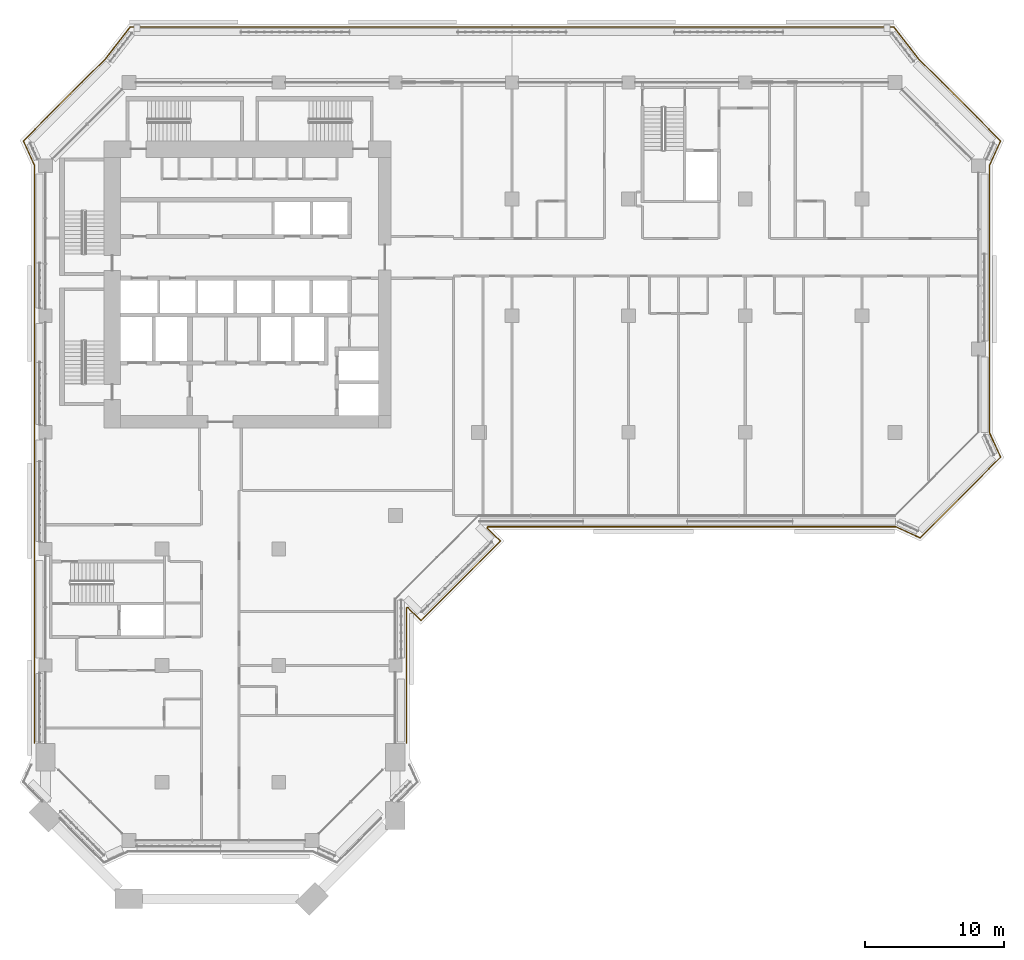
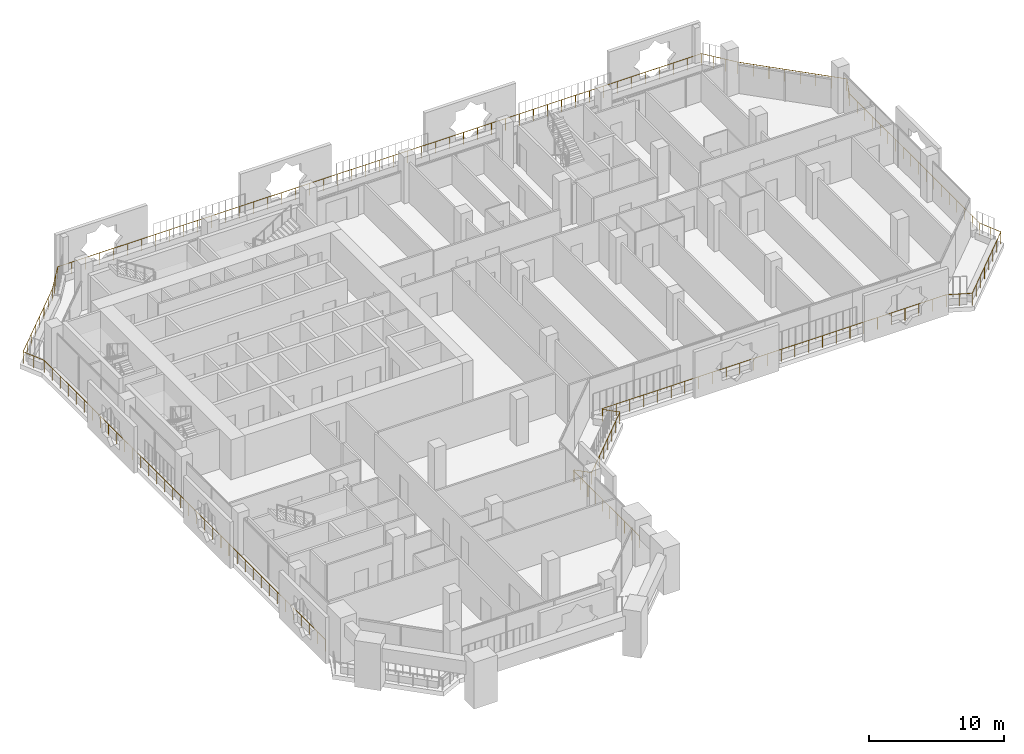
# One storey, part 21 of 23: 1 railing.
"""IFC4 building model written with IfcOpenShell, lengths in metres."""

from ifc_helpers import new_model, si_unit, direction, frame, origin, origin_2d, place, context, subcontext, project, spatial, circle, extrude, material, type_object, element, save


model = new_model("IFC4")

# Units and contexts
model_context = context("Model", 3, precision=1e-05, world=origin(), true_north=direction((0.0, 1.0)))
body_context = subcontext(model_context, "Body", "Model", "MODEL_VIEW")
ifc_project = project(units=[si_unit("LENGTHUNIT", "METRE"), si_unit("AREAUNIT", "SQUARE_METRE"), si_unit("VOLUMEUNIT", "CUBIC_METRE"), si_unit("PLANEANGLEUNIT", "RADIAN"), si_unit("MASSUNIT", "GRAM", prefix="KILO")], contexts=[model_context])

# Site, building, storey
site_placement = place(None, origin())
site = spatial("IfcSite", under=ifc_project, at=site_placement, CompositionType="ELEMENT")
building_placement = place(site_placement, origin())
building = spatial("IfcBuilding", under=site, at=building_placement, Name="Kawkab Arch Medical Tower", CompositionType="ELEMENT")
storey_placement = place(building_placement, frame((0.0, 0.0, 175.199951171875)))
storey = spatial("IfcBuildingStorey", under=building, at=storey_placement, Name="L40", CompositionType="ELEMENT", Elevation=175.199951171875)

# Railing
ifc_material = material(Name="Bronze anodised aluminium guard", Category="aluminium")
railing_type = type_object("IfcRailingType", Name="Loggia and terrace guard 1100", PredefinedType="GUARDRAIL", material=ifc_material)
railing_placement = place(storey_placement, frame((-0.800048828125, -47.570068359375, 0.0)))
element("IfcRailing", 1, at=railing_placement, inside=storey, type_object=railing_type, Name="Guard L40.LOG-01.1.3", PredefinedType="GUARDRAIL", context=body_context, shape_type="SweptSolid", body=[
    extrude(circle(Radius=0.02392578125, at=origin_2d()), frame((0.0, 0.0, 1.076171875), z_axis=(0.0, 1.0, 0.0), x_axis=(-1.0, 0.0, 0.0)), (0.0, 0.0, 1.0), 41.613037109375),
    extrude(circle(Radius=0.02392578125, at=origin_2d()), frame((0.0, 41.613037109375, 1.076171875), z_axis=(-0.414452581809, 0.910070907914, 0.0), x_axis=(-0.910070907914, -0.414452581809, 0.0)), (0.0, 0.0, 1.0), 1.925048828125),
    extrude(circle(Radius=0.02392578125, at=origin_2d()), frame((-0.7978515625, 43.364990234375, 1.076171875), z_axis=(0.707092175918, 0.707121386154, 0.0), x_axis=(-0.707121386154, 0.707092175918, 0.0)), (0.0, 0.0, 1.0), 8.358154296875),
    extrude(circle(Radius=0.02392578125, at=origin_2d()), frame((5.112060546875, 49.275146484375, 1.076171875), z_axis=(0.614144026922, 0.789193964876, 0.0), x_axis=(-0.789193964876, 0.614144026922, 0.0)), (0.0, 0.0, 1.0), 2.907958984375),
    extrude(circle(Radius=0.02392578125, at=origin_2d()), frame((6.89794921875, 51.570068359375, 1.076171875), z_axis=(1.0, 0.0, 0.0), x_axis=(0.0, 1.0, 0.0)), (0.0, 0.0, 1.0), 55.004150390625),
    extrude(circle(Radius=0.02392578125, at=origin_2d()), frame((61.902099609375, 51.570068359375, 1.076171875), z_axis=(0.614144026922, -0.789193964876, 0.0), x_axis=(0.789193964876, 0.614144026922, 0.0)), (0.0, 0.0, 1.0), 2.907958984375),
    extrude(circle(Radius=0.02392578125, at=origin_2d()), frame((63.68798828125, 49.275146484375, 1.076171875), z_axis=(0.707106781187, -0.707106781187, 0.0), x_axis=(0.707106781187, 0.707106781187, 0.0)), (0.0, 0.0, 1.0), 8.358154296875),
    extrude(circle(Radius=0.02392578125, at=origin_2d()), frame((69.59814453125, 43.364990234375, 1.076171875), z_axis=(-0.414557610759, -0.910023069687, 0.0), x_axis=(0.910023069687, -0.414557610759, 0.0)), (0.0, 0.0, 1.0), 1.92529296875),
    extrude(circle(Radius=0.02392578125, at=origin_2d()), frame((68.800048828125, 41.613037109375, 1.076171875), z_axis=(0.0, -1.0, 0.0), x_axis=(1.0, 0.0, 0.0)), (0.0, 0.0, 1.0), 19.285888671875),
    extrude(circle(Radius=0.02392578125, at=origin_2d()), frame((68.800048828125, 22.3271484375, 1.076171875), z_axis=(0.414509773934, -0.910044860056, 0.0), x_axis=(0.910044860056, 0.414509773934, 0.0)), (0.0, 0.0, 1.0), 1.92529296875),
    extrude(circle(Radius=0.02392578125, at=origin_2d()), frame((69.59814453125, 20.574951171875, 1.076171875), z_axis=(-0.707106781187, -0.707106781187, 0.0), x_axis=(0.707106781187, -0.707106781187, 0.0)), (0.0, 0.0, 1.0), 8.20654296875),
    extrude(circle(Radius=0.02392578125, at=origin_2d()), frame((63.795166015625, 14.77197265625, 1.076171875), z_axis=(-0.910044860056, 0.414509773934, 0.0), x_axis=(-0.414509773934, -0.910044860056, 0.0)), (0.0, 0.0, 1.0), 1.92529296875),
    extrude(circle(Radius=0.02392578125, at=origin_2d()), frame((62.04296875, 15.570068359375, 1.076171875), z_axis=(-1.0, 0.0, 0.0), x_axis=(0.0, -1.0, 0.0)), (0.0, 0.0, 1.0), 29.392822265625),
    extrude(circle(Radius=0.02392578125, at=origin_2d()), frame((32.650146484375, 15.570068359375, 1.076171875), z_axis=(-0.383763674343, -0.923431341387, 0.0), x_axis=(0.923431341387, -0.383763674343, 0.0)), (0.0, 0.0, 1.0), 0.101806640625),
    extrude(circle(Radius=0.02392578125, at=origin_2d()), frame((32.611083984375, 15.47607421875, 1.076171875), z_axis=(0.707015335112, -0.707198215437, 0.0), x_axis=(0.707198215437, 0.707015335112, 0.0)), (0.0, 0.0, 1.0), 1.3349609375),
    extrude(circle(Radius=0.02392578125, at=origin_2d()), frame((33.554931640625, 14.531982421875, 1.076171875), z_axis=(-0.707106781187, -0.707106781187, 0.0), x_axis=(0.707106781187, -0.707106781187, 0.0)), (0.0, 0.0, 1.0), 8.084716796875),
    extrude(circle(Radius=0.02392578125, at=origin_2d()), frame((27.838134765625, 8.815185546875, 1.076171875), z_axis=(-0.707198215437, 0.707015335112, 0.0), x_axis=(-0.707015335112, -0.707198215437, 0.0)), (0.0, 0.0, 1.0), 1.3349609375),
    extrude(circle(Radius=0.02392578125, at=origin_2d()), frame((26.89404296875, 9.759033203125, 1.076171875), z_axis=(-0.923431341387, -0.383763674343, 0.0), x_axis=(0.383763674343, -0.923431341387, 0.0)), (0.0, 0.0, 1.0), 0.101806640625),
    extrude(circle(Radius=0.02392578125, at=origin_2d()), frame((26.800048828125, 9.719970703125, 1.076171875), z_axis=(0.0, -1.0, 0.0), x_axis=(1.0, 0.0, 0.0)), (0.0, 0.0, 1.0), 9.719970703125),
    extrude(circle(Radius=0.02099609375, at=origin_2d()), origin(), (0.0, 0.0, 1.0), 1.052001953125),
    extrude(circle(Radius=0.02099609375, at=origin_2d()), frame((0.0, 1.18896484375, 0.0)), (0.0, 0.0, 1.0), 1.052001953125),
    extrude(circle(Radius=0.02099609375, at=origin_2d()), frame((0.0, 2.3779296875, 0.0)), (0.0, 0.0, 1.0), 1.052001953125),
    extrude(circle(Radius=0.02099609375, at=origin_2d()), frame((0.0, 3.56689453125, 0.0)), (0.0, 0.0, 1.0), 1.052001953125),
    extrude(circle(Radius=0.02099609375, at=origin_2d()), frame((0.0, 4.755859375, 0.0)), (0.0, 0.0, 1.0), 1.052001953125),
    extrude(circle(Radius=0.02099609375, at=origin_2d()), frame((0.0, 5.94482421875, 0.0)), (0.0, 0.0, 1.0), 1.052001953125),
    extrude(circle(Radius=0.02099609375, at=origin_2d()), frame((0.0, 7.133544921875, 0.0)), (0.0, 0.0, 1.0), 1.052001953125),
    extrude(circle(Radius=0.02099609375, at=origin_2d()), frame((0.0, 8.322509765625, 0.0)), (0.0, 0.0, 1.0), 1.052001953125),
    extrude(circle(Radius=0.02099609375, at=origin_2d()), frame((0.0, 9.511474609375, 0.0)), (0.0, 0.0, 1.0), 1.052001953125),
    extrude(circle(Radius=0.02099609375, at=origin_2d()), frame((0.0, 10.700439453125, 0.0)), (0.0, 0.0, 1.0), 1.052001953125),
    extrude(circle(Radius=0.02099609375, at=origin_2d()), frame((0.0, 11.889404296875, 0.0)), (0.0, 0.0, 1.0), 1.052001953125),
    extrude(circle(Radius=0.02099609375, at=origin_2d()), frame((0.0, 13.078369140625, 0.0)), (0.0, 0.0, 1.0), 1.052001953125),
    extrude(circle(Radius=0.02099609375, at=origin_2d()), frame((0.0, 14.267333984375, 0.0)), (0.0, 0.0, 1.0), 1.052001953125),
    extrude(circle(Radius=0.02099609375, at=origin_2d()), frame((0.0, 15.456298828125, 0.0)), (0.0, 0.0, 1.0), 1.052001953125),
    extrude(circle(Radius=0.02099609375, at=origin_2d()), frame((0.0, 16.645263671875, 0.0)), (0.0, 0.0, 1.0), 1.052001953125),
    extrude(circle(Radius=0.02099609375, at=origin_2d()), frame((0.0, 17.834228515625, 0.0)), (0.0, 0.0, 1.0), 1.052001953125),
    extrude(circle(Radius=0.02099609375, at=origin_2d()), frame((0.0, 19.023193359375, 0.0)), (0.0, 0.0, 1.0), 1.052001953125),
    extrude(circle(Radius=0.02099609375, at=origin_2d()), frame((0.0, 20.212158203125, 0.0)), (0.0, 0.0, 1.0), 1.052001953125),
    extrude(circle(Radius=0.02099609375, at=origin_2d()), frame((0.0, 21.40087890625, 0.0)), (0.0, 0.0, 1.0), 1.052001953125),
    extrude(circle(Radius=0.02099609375, at=origin_2d()), frame((0.0, 22.58984375, 0.0)), (0.0, 0.0, 1.0), 1.052001953125),
    extrude(circle(Radius=0.02099609375, at=origin_2d()), frame((0.0, 23.77880859375, 0.0)), (0.0, 0.0, 1.0), 1.052001953125),
    extrude(circle(Radius=0.02099609375, at=origin_2d()), frame((0.0, 24.9677734375, 0.0)), (0.0, 0.0, 1.0), 1.052001953125),
    extrude(circle(Radius=0.02099609375, at=origin_2d()), frame((0.0, 26.15673828125, 0.0)), (0.0, 0.0, 1.0), 1.052001953125),
    extrude(circle(Radius=0.02099609375, at=origin_2d()), frame((0.0, 27.345703125, 0.0)), (0.0, 0.0, 1.0), 1.052001953125),
    extrude(circle(Radius=0.02099609375, at=origin_2d()), frame((0.0, 28.53466796875, 0.0)), (0.0, 0.0, 1.0), 1.052001953125),
    extrude(circle(Radius=0.02099609375, at=origin_2d()), frame((0.0, 29.7236328125, 0.0)), (0.0, 0.0, 1.0), 1.052001953125),
    extrude(circle(Radius=0.02099609375, at=origin_2d()), frame((0.0, 30.91259765625, 0.0)), (0.0, 0.0, 1.0), 1.052001953125),
    extrude(circle(Radius=0.02099609375, at=origin_2d()), frame((0.0, 32.1015625, 0.0)), (0.0, 0.0, 1.0), 1.052001953125),
    extrude(circle(Radius=0.02099609375, at=origin_2d()), frame((0.0, 33.29052734375, 0.0)), (0.0, 0.0, 1.0), 1.052001953125),
    extrude(circle(Radius=0.02099609375, at=origin_2d()), frame((0.0, 34.4794921875, 0.0)), (0.0, 0.0, 1.0), 1.052001953125),
    extrude(circle(Radius=0.02099609375, at=origin_2d()), frame((0.0, 35.668212890625, 0.0)), (0.0, 0.0, 1.0), 1.052001953125),
    extrude(circle(Radius=0.02099609375, at=origin_2d()), frame((0.0, 36.857177734375, 0.0)), (0.0, 0.0, 1.0), 1.052001953125),
    extrude(circle(Radius=0.02099609375, at=origin_2d()), frame((0.0, 38.046142578125, 0.0)), (0.0, 0.0, 1.0), 1.052001953125),
    extrude(circle(Radius=0.02099609375, at=origin_2d()), frame((0.0, 39.235107421875, 0.0)), (0.0, 0.0, 1.0), 1.052001953125),
    extrude(circle(Radius=0.02099609375, at=origin_2d()), frame((0.0, 40.424072265625, 0.0)), (0.0, 0.0, 1.0), 1.052001953125),
    extrude(circle(Radius=0.02099609375, at=origin_2d()), frame((0.0, 41.613037109375, 0.0)), (0.0, 0.0, 1.0), 1.052001953125),
    extrude(circle(Radius=0.02099609375, at=origin_2d()), frame((-0.39892578125, 42.489013671875, 0.0)), (0.0, 0.0, 1.0), 1.052001953125),
    extrude(circle(Radius=0.02099609375, at=origin_2d()), frame((-0.7978515625, 43.364990234375, 0.0)), (0.0, 0.0, 1.0), 1.052001953125),
    extrude(circle(Radius=0.02099609375, at=origin_2d()), frame((0.04638671875, 44.209228515625, 0.0)), (0.0, 0.0, 1.0), 1.052001953125),
    extrude(circle(Radius=0.02099609375, at=origin_2d()), frame((0.890625, 45.0537109375, 0.0)), (0.0, 0.0, 1.0), 1.052001953125),
    extrude(circle(Radius=0.02099609375, at=origin_2d()), frame((1.73486328125, 45.89794921875, 0.0)), (0.0, 0.0, 1.0), 1.052001953125),
    extrude(circle(Radius=0.02099609375, at=origin_2d()), frame((2.579345703125, 46.7421875, 0.0)), (0.0, 0.0, 1.0), 1.052001953125),
    extrude(circle(Radius=0.02099609375, at=origin_2d()), frame((3.423583984375, 47.58642578125, 0.0)), (0.0, 0.0, 1.0), 1.052001953125),
    extrude(circle(Radius=0.02099609375, at=origin_2d()), frame((4.267822265625, 48.430908203125, 0.0)), (0.0, 0.0, 1.0), 1.052001953125),
    extrude(circle(Radius=0.02099609375, at=origin_2d()), frame((5.112060546875, 49.275146484375, 0.0)), (0.0, 0.0, 1.0), 1.052001953125),
    extrude(circle(Radius=0.02099609375, at=origin_2d()), frame((5.707275390625, 50.0400390625, 0.0)), (0.0, 0.0, 1.0), 1.052001953125),
    extrude(circle(Radius=0.02099609375, at=origin_2d()), frame((6.302734375, 50.80517578125, 0.0)), (0.0, 0.0, 1.0), 1.052001953125),
    extrude(circle(Radius=0.02099609375, at=origin_2d()), frame((6.89794921875, 51.570068359375, 0.0)), (0.0, 0.0, 1.0), 1.052001953125),
    extrude(circle(Radius=0.02099609375, at=origin_2d()), frame((8.09375, 51.570068359375, 0.0)), (0.0, 0.0, 1.0), 1.052001953125),
    extrude(circle(Radius=0.02099609375, at=origin_2d()), frame((9.28955078125, 51.570068359375, 0.0)), (0.0, 0.0, 1.0), 1.052001953125),
    extrude(circle(Radius=0.02099609375, at=origin_2d()), frame((10.485107421875, 51.570068359375, 0.0)), (0.0, 0.0, 1.0), 1.052001953125),
    extrude(circle(Radius=0.02099609375, at=origin_2d()), frame((11.680908203125, 51.570068359375, 0.0)), (0.0, 0.0, 1.0), 1.052001953125),
    extrude(circle(Radius=0.02099609375, at=origin_2d()), frame((12.876708984375, 51.570068359375, 0.0)), (0.0, 0.0, 1.0), 1.052001953125),
    extrude(circle(Radius=0.02099609375, at=origin_2d()), frame((14.072509765625, 51.570068359375, 0.0)), (0.0, 0.0, 1.0), 1.052001953125),
    extrude(circle(Radius=0.02099609375, at=origin_2d()), frame((15.26806640625, 51.570068359375, 0.0)), (0.0, 0.0, 1.0), 1.052001953125),
    extrude(circle(Radius=0.02099609375, at=origin_2d()), frame((16.4638671875, 51.570068359375, 0.0)), (0.0, 0.0, 1.0), 1.052001953125),
    extrude(circle(Radius=0.02099609375, at=origin_2d()), frame((17.65966796875, 51.570068359375, 0.0)), (0.0, 0.0, 1.0), 1.052001953125),
    extrude(circle(Radius=0.02099609375, at=origin_2d()), frame((18.85546875, 51.570068359375, 0.0)), (0.0, 0.0, 1.0), 1.052001953125),
    extrude(circle(Radius=0.02099609375, at=origin_2d()), frame((20.051025390625, 51.570068359375, 0.0)), (0.0, 0.0, 1.0), 1.052001953125),
    extrude(circle(Radius=0.02099609375, at=origin_2d()), frame((21.246826171875, 51.570068359375, 0.0)), (0.0, 0.0, 1.0), 1.052001953125),
    extrude(circle(Radius=0.02099609375, at=origin_2d()), frame((22.442626953125, 51.570068359375, 0.0)), (0.0, 0.0, 1.0), 1.052001953125),
    extrude(circle(Radius=0.02099609375, at=origin_2d()), frame((23.638427734375, 51.570068359375, 0.0)), (0.0, 0.0, 1.0), 1.052001953125),
    extrude(circle(Radius=0.02099609375, at=origin_2d()), frame((24.833984375, 51.570068359375, 0.0)), (0.0, 0.0, 1.0), 1.052001953125),
    extrude(circle(Radius=0.02099609375, at=origin_2d()), frame((26.02978515625, 51.570068359375, 0.0)), (0.0, 0.0, 1.0), 1.052001953125),
    extrude(circle(Radius=0.02099609375, at=origin_2d()), frame((27.2255859375, 51.570068359375, 0.0)), (0.0, 0.0, 1.0), 1.052001953125),
    extrude(circle(Radius=0.02099609375, at=origin_2d()), frame((28.42138671875, 51.570068359375, 0.0)), (0.0, 0.0, 1.0), 1.052001953125),
    extrude(circle(Radius=0.02099609375, at=origin_2d()), frame((29.616943359375, 51.570068359375, 0.0)), (0.0, 0.0, 1.0), 1.052001953125),
    extrude(circle(Radius=0.02099609375, at=origin_2d()), frame((30.812744140625, 51.570068359375, 0.0)), (0.0, 0.0, 1.0), 1.052001953125),
    extrude(circle(Radius=0.02099609375, at=origin_2d()), frame((32.008544921875, 51.570068359375, 0.0)), (0.0, 0.0, 1.0), 1.052001953125),
    extrude(circle(Radius=0.02099609375, at=origin_2d()), frame((33.204345703125, 51.570068359375, 0.0)), (0.0, 0.0, 1.0), 1.052001953125),
    extrude(circle(Radius=0.02099609375, at=origin_2d()), frame((34.39990234375, 51.570068359375, 0.0)), (0.0, 0.0, 1.0), 1.052001953125),
    extrude(circle(Radius=0.02099609375, at=origin_2d()), frame((35.595703125, 51.570068359375, 0.0)), (0.0, 0.0, 1.0), 1.052001953125),
    extrude(circle(Radius=0.02099609375, at=origin_2d()), frame((36.79150390625, 51.570068359375, 0.0)), (0.0, 0.0, 1.0), 1.052001953125),
    extrude(circle(Radius=0.02099609375, at=origin_2d()), frame((37.9873046875, 51.570068359375, 0.0)), (0.0, 0.0, 1.0), 1.052001953125),
    extrude(circle(Radius=0.02099609375, at=origin_2d()), frame((39.18310546875, 51.570068359375, 0.0)), (0.0, 0.0, 1.0), 1.052001953125),
    extrude(circle(Radius=0.02099609375, at=origin_2d()), frame((40.378662109375, 51.570068359375, 0.0)), (0.0, 0.0, 1.0), 1.052001953125),
    extrude(circle(Radius=0.02099609375, at=origin_2d()), frame((41.574462890625, 51.570068359375, 0.0)), (0.0, 0.0, 1.0), 1.052001953125),
    extrude(circle(Radius=0.02099609375, at=origin_2d()), frame((42.770263671875, 51.570068359375, 0.0)), (0.0, 0.0, 1.0), 1.052001953125),
    extrude(circle(Radius=0.02099609375, at=origin_2d()), frame((43.966064453125, 51.570068359375, 0.0)), (0.0, 0.0, 1.0), 1.052001953125),
    extrude(circle(Radius=0.02099609375, at=origin_2d()), frame((45.16162109375, 51.570068359375, 0.0)), (0.0, 0.0, 1.0), 1.052001953125),
    extrude(circle(Radius=0.02099609375, at=origin_2d()), frame((46.357421875, 51.570068359375, 0.0)), (0.0, 0.0, 1.0), 1.052001953125),
    extrude(circle(Radius=0.02099609375, at=origin_2d()), frame((47.55322265625, 51.570068359375, 0.0)), (0.0, 0.0, 1.0), 1.052001953125),
    extrude(circle(Radius=0.02099609375, at=origin_2d()), frame((48.7490234375, 51.570068359375, 0.0)), (0.0, 0.0, 1.0), 1.052001953125),
    extrude(circle(Radius=0.02099609375, at=origin_2d()), frame((49.944580078125, 51.570068359375, 0.0)), (0.0, 0.0, 1.0), 1.052001953125),
    extrude(circle(Radius=0.02099609375, at=origin_2d()), frame((51.140380859375, 51.570068359375, 0.0)), (0.0, 0.0, 1.0), 1.052001953125),
    extrude(circle(Radius=0.02099609375, at=origin_2d()), frame((52.336181640625, 51.570068359375, 0.0)), (0.0, 0.0, 1.0), 1.052001953125),
    extrude(circle(Radius=0.02099609375, at=origin_2d()), frame((53.531982421875, 51.570068359375, 0.0)), (0.0, 0.0, 1.0), 1.052001953125),
    extrude(circle(Radius=0.02099609375, at=origin_2d()), frame((54.7275390625, 51.570068359375, 0.0)), (0.0, 0.0, 1.0), 1.052001953125),
    extrude(circle(Radius=0.02099609375, at=origin_2d()), frame((55.92333984375, 51.570068359375, 0.0)), (0.0, 0.0, 1.0), 1.052001953125),
    extrude(circle(Radius=0.02099609375, at=origin_2d()), frame((57.119140625, 51.570068359375, 0.0)), (0.0, 0.0, 1.0), 1.052001953125),
    extrude(circle(Radius=0.02099609375, at=origin_2d()), frame((58.31494140625, 51.570068359375, 0.0)), (0.0, 0.0, 1.0), 1.052001953125),
    extrude(circle(Radius=0.02099609375, at=origin_2d()), frame((59.510498046875, 51.570068359375, 0.0)), (0.0, 0.0, 1.0), 1.052001953125),
    extrude(circle(Radius=0.02099609375, at=origin_2d()), frame((60.706298828125, 51.570068359375, 0.0)), (0.0, 0.0, 1.0), 1.052001953125),
    extrude(circle(Radius=0.02099609375, at=origin_2d()), frame((61.902099609375, 51.570068359375, 0.0)), (0.0, 0.0, 1.0), 1.052001953125),
    extrude(circle(Radius=0.02099609375, at=origin_2d()), frame((62.497314453125, 50.80517578125, 0.0)), (0.0, 0.0, 1.0), 1.052001953125),
    extrude(circle(Radius=0.02099609375, at=origin_2d()), frame((63.0927734375, 50.0400390625, 0.0)), (0.0, 0.0, 1.0), 1.052001953125),
    extrude(circle(Radius=0.02099609375, at=origin_2d()), frame((63.68798828125, 49.275146484375, 0.0)), (0.0, 0.0, 1.0), 1.052001953125),
    extrude(circle(Radius=0.02099609375, at=origin_2d()), frame((64.5322265625, 48.430908203125, 0.0)), (0.0, 0.0, 1.0), 1.052001953125),
    extrude(circle(Radius=0.02099609375, at=origin_2d()), frame((65.376708984375, 47.58642578125, 0.0)), (0.0, 0.0, 1.0), 1.052001953125),
    extrude(circle(Radius=0.02099609375, at=origin_2d()), frame((66.220947265625, 46.7421875, 0.0)), (0.0, 0.0, 1.0), 1.052001953125),
    extrude(circle(Radius=0.02099609375, at=origin_2d()), frame((67.065185546875, 45.89794921875, 0.0)), (0.0, 0.0, 1.0), 1.052001953125),
    extrude(circle(Radius=0.02099609375, at=origin_2d()), frame((67.909423828125, 45.0537109375, 0.0)), (0.0, 0.0, 1.0), 1.052001953125),
    extrude(circle(Radius=0.02099609375, at=origin_2d()), frame((68.75390625, 44.209228515625, 0.0)), (0.0, 0.0, 1.0), 1.052001953125),
    extrude(circle(Radius=0.02099609375, at=origin_2d()), frame((69.59814453125, 43.364990234375, 0.0)), (0.0, 0.0, 1.0), 1.052001953125),
    extrude(circle(Radius=0.02099609375, at=origin_2d()), frame((69.19921875, 42.489013671875, 0.0)), (0.0, 0.0, 1.0), 1.052001953125),
    extrude(circle(Radius=0.02099609375, at=origin_2d()), frame((68.800048828125, 41.613037109375, 0.0)), (0.0, 0.0, 1.0), 1.052001953125),
    extrude(circle(Radius=0.02099609375, at=origin_2d()), frame((68.800048828125, 40.478515625, 0.0)), (0.0, 0.0, 1.0), 1.052001953125),
    extrude(circle(Radius=0.02099609375, at=origin_2d()), frame((68.800048828125, 39.343994140625, 0.0)), (0.0, 0.0, 1.0), 1.052001953125),
    extrude(circle(Radius=0.02099609375, at=origin_2d()), frame((68.800048828125, 38.209716796875, 0.0)), (0.0, 0.0, 1.0), 1.052001953125),
    extrude(circle(Radius=0.02099609375, at=origin_2d()), frame((68.800048828125, 37.0751953125, 0.0)), (0.0, 0.0, 1.0), 1.052001953125),
    extrude(circle(Radius=0.02099609375, at=origin_2d()), frame((68.800048828125, 35.940673828125, 0.0)), (0.0, 0.0, 1.0), 1.052001953125),
    extrude(circle(Radius=0.02099609375, at=origin_2d()), frame((68.800048828125, 34.80615234375, 0.0)), (0.0, 0.0, 1.0), 1.052001953125),
    extrude(circle(Radius=0.02099609375, at=origin_2d()), frame((68.800048828125, 33.671875, 0.0)), (0.0, 0.0, 1.0), 1.052001953125),
    extrude(circle(Radius=0.02099609375, at=origin_2d()), frame((68.800048828125, 32.537353515625, 0.0)), (0.0, 0.0, 1.0), 1.052001953125),
    extrude(circle(Radius=0.02099609375, at=origin_2d()), frame((68.800048828125, 31.40283203125, 0.0)), (0.0, 0.0, 1.0), 1.052001953125),
    extrude(circle(Radius=0.02099609375, at=origin_2d()), frame((68.800048828125, 30.268310546875, 0.0)), (0.0, 0.0, 1.0), 1.052001953125),
    extrude(circle(Radius=0.02099609375, at=origin_2d()), frame((68.800048828125, 29.134033203125, 0.0)), (0.0, 0.0, 1.0), 1.052001953125),
    extrude(circle(Radius=0.02099609375, at=origin_2d()), frame((68.800048828125, 27.99951171875, 0.0)), (0.0, 0.0, 1.0), 1.052001953125),
    extrude(circle(Radius=0.02099609375, at=origin_2d()), frame((68.800048828125, 26.864990234375, 0.0)), (0.0, 0.0, 1.0), 1.052001953125),
    extrude(circle(Radius=0.02099609375, at=origin_2d()), frame((68.800048828125, 25.73046875, 0.0)), (0.0, 0.0, 1.0), 1.052001953125),
    extrude(circle(Radius=0.02099609375, at=origin_2d()), frame((68.800048828125, 24.59619140625, 0.0)), (0.0, 0.0, 1.0), 1.052001953125),
    extrude(circle(Radius=0.02099609375, at=origin_2d()), frame((68.800048828125, 23.461669921875, 0.0)), (0.0, 0.0, 1.0), 1.052001953125),
    extrude(circle(Radius=0.02099609375, at=origin_2d()), frame((68.800048828125, 22.3271484375, 0.0)), (0.0, 0.0, 1.0), 1.052001953125),
    extrude(circle(Radius=0.02099609375, at=origin_2d()), frame((69.19921875, 21.451171875, 0.0)), (0.0, 0.0, 1.0), 1.052001953125),
    extrude(circle(Radius=0.02099609375, at=origin_2d()), frame((69.59814453125, 20.574951171875, 0.0)), (0.0, 0.0, 1.0), 1.052001953125),
    extrude(circle(Radius=0.02099609375, at=origin_2d()), frame((68.76904296875, 19.745849609375, 0.0)), (0.0, 0.0, 1.0), 1.052001953125),
    extrude(circle(Radius=0.02099609375, at=origin_2d()), frame((67.940185546875, 18.9169921875, 0.0)), (0.0, 0.0, 1.0), 1.052001953125),
    extrude(circle(Radius=0.02099609375, at=origin_2d()), frame((67.111083984375, 18.087890625, 0.0)), (0.0, 0.0, 1.0), 1.052001953125),
    extrude(circle(Radius=0.02099609375, at=origin_2d()), frame((66.2822265625, 17.259033203125, 0.0)), (0.0, 0.0, 1.0), 1.052001953125),
    extrude(circle(Radius=0.02099609375, at=origin_2d()), frame((65.453125, 16.429931640625, 0.0)), (0.0, 0.0, 1.0), 1.052001953125),
    extrude(circle(Radius=0.02099609375, at=origin_2d()), frame((64.624267578125, 15.60107421875, 0.0)), (0.0, 0.0, 1.0), 1.052001953125),
    extrude(circle(Radius=0.02099609375, at=origin_2d()), frame((63.795166015625, 14.77197265625, 0.0)), (0.0, 0.0, 1.0), 1.052001953125),
    extrude(circle(Radius=0.02099609375, at=origin_2d()), frame((62.9189453125, 15.1708984375, 0.0)), (0.0, 0.0, 1.0), 1.052001953125),
    extrude(circle(Radius=0.02099609375, at=origin_2d()), frame((62.04296875, 15.570068359375, 0.0)), (0.0, 0.0, 1.0), 1.052001953125),
    extrude(circle(Radius=0.02099609375, at=origin_2d()), frame((60.8671875, 15.570068359375, 0.0)), (0.0, 0.0, 1.0), 1.052001953125),
    extrude(circle(Radius=0.02099609375, at=origin_2d()), frame((59.691650390625, 15.570068359375, 0.0)), (0.0, 0.0, 1.0), 1.052001953125),
    extrude(circle(Radius=0.02099609375, at=origin_2d()), frame((58.515869140625, 15.570068359375, 0.0)), (0.0, 0.0, 1.0), 1.052001953125),
    extrude(circle(Radius=0.02099609375, at=origin_2d()), frame((57.340087890625, 15.570068359375, 0.0)), (0.0, 0.0, 1.0), 1.052001953125),
    extrude(circle(Radius=0.02099609375, at=origin_2d()), frame((56.164306640625, 15.570068359375, 0.0)), (0.0, 0.0, 1.0), 1.052001953125),
    extrude(circle(Radius=0.02099609375, at=origin_2d()), frame((54.98876953125, 15.570068359375, 0.0)), (0.0, 0.0, 1.0), 1.052001953125),
    extrude(circle(Radius=0.02099609375, at=origin_2d()), frame((53.81298828125, 15.570068359375, 0.0)), (0.0, 0.0, 1.0), 1.052001953125),
    extrude(circle(Radius=0.02099609375, at=origin_2d()), frame((52.63720703125, 15.570068359375, 0.0)), (0.0, 0.0, 1.0), 1.052001953125),
    extrude(circle(Radius=0.02099609375, at=origin_2d()), frame((51.461669921875, 15.570068359375, 0.0)), (0.0, 0.0, 1.0), 1.052001953125),
    extrude(circle(Radius=0.02099609375, at=origin_2d()), frame((50.285888671875, 15.570068359375, 0.0)), (0.0, 0.0, 1.0), 1.052001953125),
    extrude(circle(Radius=0.02099609375, at=origin_2d()), frame((49.110107421875, 15.570068359375, 0.0)), (0.0, 0.0, 1.0), 1.052001953125),
    extrude(circle(Radius=0.02099609375, at=origin_2d()), frame((47.934326171875, 15.570068359375, 0.0)), (0.0, 0.0, 1.0), 1.052001953125),
    extrude(circle(Radius=0.02099609375, at=origin_2d()), frame((46.7587890625, 15.570068359375, 0.0)), (0.0, 0.0, 1.0), 1.052001953125),
    extrude(circle(Radius=0.02099609375, at=origin_2d()), frame((45.5830078125, 15.570068359375, 0.0)), (0.0, 0.0, 1.0), 1.052001953125),
    extrude(circle(Radius=0.02099609375, at=origin_2d()), frame((44.4072265625, 15.570068359375, 0.0)), (0.0, 0.0, 1.0), 1.052001953125),
    extrude(circle(Radius=0.02099609375, at=origin_2d()), frame((43.2314453125, 15.570068359375, 0.0)), (0.0, 0.0, 1.0), 1.052001953125),
    extrude(circle(Radius=0.02099609375, at=origin_2d()), frame((42.055908203125, 15.570068359375, 0.0)), (0.0, 0.0, 1.0), 1.052001953125),
    extrude(circle(Radius=0.02099609375, at=origin_2d()), frame((40.880126953125, 15.570068359375, 0.0)), (0.0, 0.0, 1.0), 1.052001953125),
    extrude(circle(Radius=0.02099609375, at=origin_2d()), frame((39.704345703125, 15.570068359375, 0.0)), (0.0, 0.0, 1.0), 1.052001953125),
    extrude(circle(Radius=0.02099609375, at=origin_2d()), frame((38.52880859375, 15.570068359375, 0.0)), (0.0, 0.0, 1.0), 1.052001953125),
    extrude(circle(Radius=0.02099609375, at=origin_2d()), frame((37.35302734375, 15.570068359375, 0.0)), (0.0, 0.0, 1.0), 1.052001953125),
    extrude(circle(Radius=0.02099609375, at=origin_2d()), frame((36.17724609375, 15.570068359375, 0.0)), (0.0, 0.0, 1.0), 1.052001953125),
    extrude(circle(Radius=0.02099609375, at=origin_2d()), frame((35.00146484375, 15.570068359375, 0.0)), (0.0, 0.0, 1.0), 1.052001953125),
    extrude(circle(Radius=0.02099609375, at=origin_2d()), frame((33.825927734375, 15.570068359375, 0.0)), (0.0, 0.0, 1.0), 1.052001953125),
    extrude(circle(Radius=0.02099609375, at=origin_2d()), frame((32.650146484375, 15.570068359375, 0.0)), (0.0, 0.0, 1.0), 1.052001953125),
    extrude(circle(Radius=0.02099609375, at=origin_2d()), frame((32.611083984375, 15.47607421875, 0.0)), (0.0, 0.0, 1.0), 1.052001953125),
    extrude(circle(Radius=0.02099609375, at=origin_2d()), frame((33.0830078125, 15.00390625, 0.0)), (0.0, 0.0, 1.0), 1.052001953125),
    extrude(circle(Radius=0.02099609375, at=origin_2d()), frame((33.554931640625, 14.531982421875, 0.0)), (0.0, 0.0, 1.0), 1.052001953125),
    extrude(circle(Radius=0.02099609375, at=origin_2d()), frame((32.73828125, 13.71533203125, 0.0)), (0.0, 0.0, 1.0), 1.052001953125),
    extrude(circle(Radius=0.02099609375, at=origin_2d()), frame((31.921630859375, 12.898681640625, 0.0)), (0.0, 0.0, 1.0), 1.052001953125),
    extrude(circle(Radius=0.02099609375, at=origin_2d()), frame((31.10498046875, 12.08203125, 0.0)), (0.0, 0.0, 1.0), 1.052001953125),
    extrude(circle(Radius=0.02099609375, at=origin_2d()), frame((30.2880859375, 11.26513671875, 0.0)), (0.0, 0.0, 1.0), 1.052001953125),
    extrude(circle(Radius=0.02099609375, at=origin_2d()), frame((29.471435546875, 10.448486328125, 0.0)), (0.0, 0.0, 1.0), 1.052001953125),
    extrude(circle(Radius=0.02099609375, at=origin_2d()), frame((28.65478515625, 9.6318359375, 0.0)), (0.0, 0.0, 1.0), 1.052001953125),
    extrude(circle(Radius=0.02099609375, at=origin_2d()), frame((27.838134765625, 8.815185546875, 0.0)), (0.0, 0.0, 1.0), 1.052001953125),
    extrude(circle(Radius=0.02099609375, at=origin_2d()), frame((27.3662109375, 9.287109375, 0.0)), (0.0, 0.0, 1.0), 1.052001953125),
    extrude(circle(Radius=0.02099609375, at=origin_2d()), frame((26.89404296875, 9.759033203125, 0.0)), (0.0, 0.0, 1.0), 1.052001953125),
    extrude(circle(Radius=0.02099609375, at=origin_2d()), frame((26.800048828125, 9.719970703125, 0.0)), (0.0, 0.0, 1.0), 1.052001953125),
    extrude(circle(Radius=0.02099609375, at=origin_2d()), frame((26.800048828125, 8.639892578125, 0.0)), (0.0, 0.0, 1.0), 1.052001953125),
    extrude(circle(Radius=0.02099609375, at=origin_2d()), frame((26.800048828125, 7.56005859375, 0.0)), (0.0, 0.0, 1.0), 1.052001953125),
    extrude(circle(Radius=0.02099609375, at=origin_2d()), frame((26.800048828125, 6.47998046875, 0.0)), (0.0, 0.0, 1.0), 1.052001953125),
    extrude(circle(Radius=0.02099609375, at=origin_2d()), frame((26.800048828125, 5.39990234375, 0.0)), (0.0, 0.0, 1.0), 1.052001953125),
    extrude(circle(Radius=0.02099609375, at=origin_2d()), frame((26.800048828125, 4.320068359375, 0.0)), (0.0, 0.0, 1.0), 1.052001953125),
    extrude(circle(Radius=0.02099609375, at=origin_2d()), frame((26.800048828125, 3.239990234375, 0.0)), (0.0, 0.0, 1.0), 1.052001953125),
    extrude(circle(Radius=0.02099609375, at=origin_2d()), frame((26.800048828125, 2.159912109375, 0.0)), (0.0, 0.0, 1.0), 1.052001953125),
    extrude(circle(Radius=0.02099609375, at=origin_2d()), frame((26.800048828125, 1.080078125, 0.0)), (0.0, 0.0, 1.0), 1.052001953125),
    extrude(circle(Radius=0.02099609375, at=origin_2d()), frame((26.800048828125, 0.0, 0.0)), (0.0, 0.0, 1.0), 1.052001953125),
])

save(model, "model.ifc")
